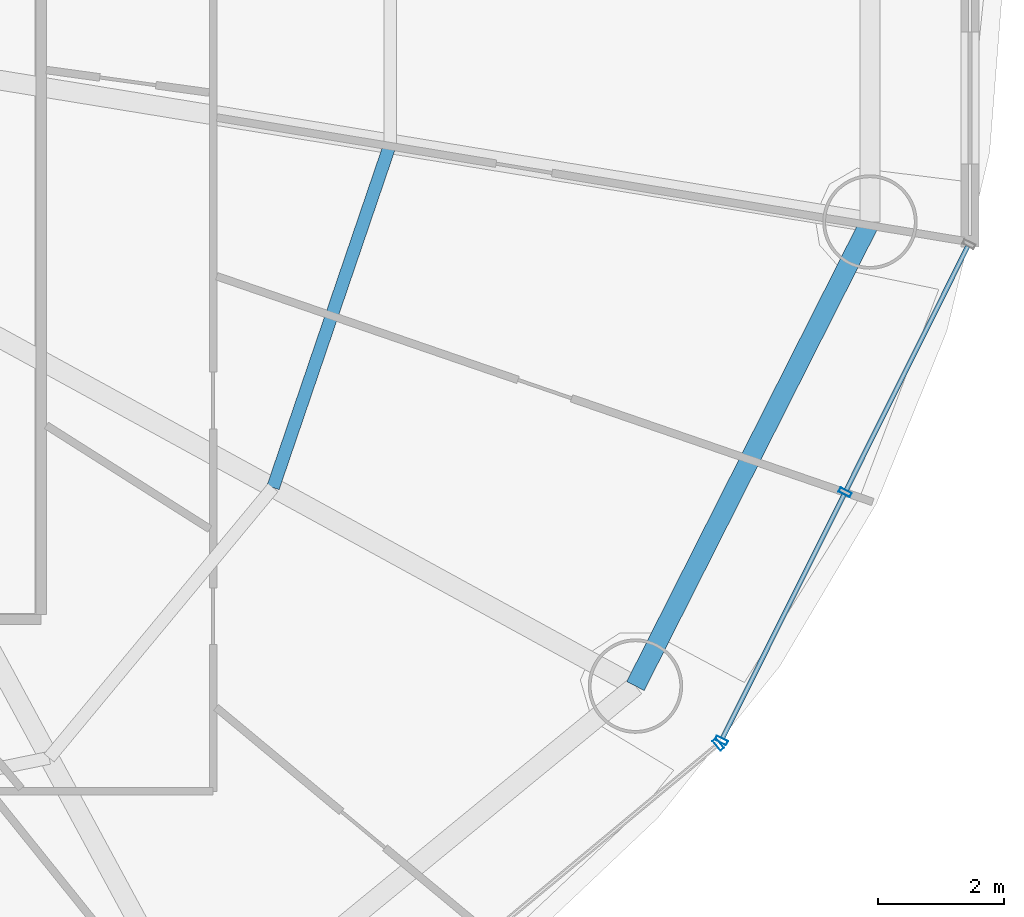
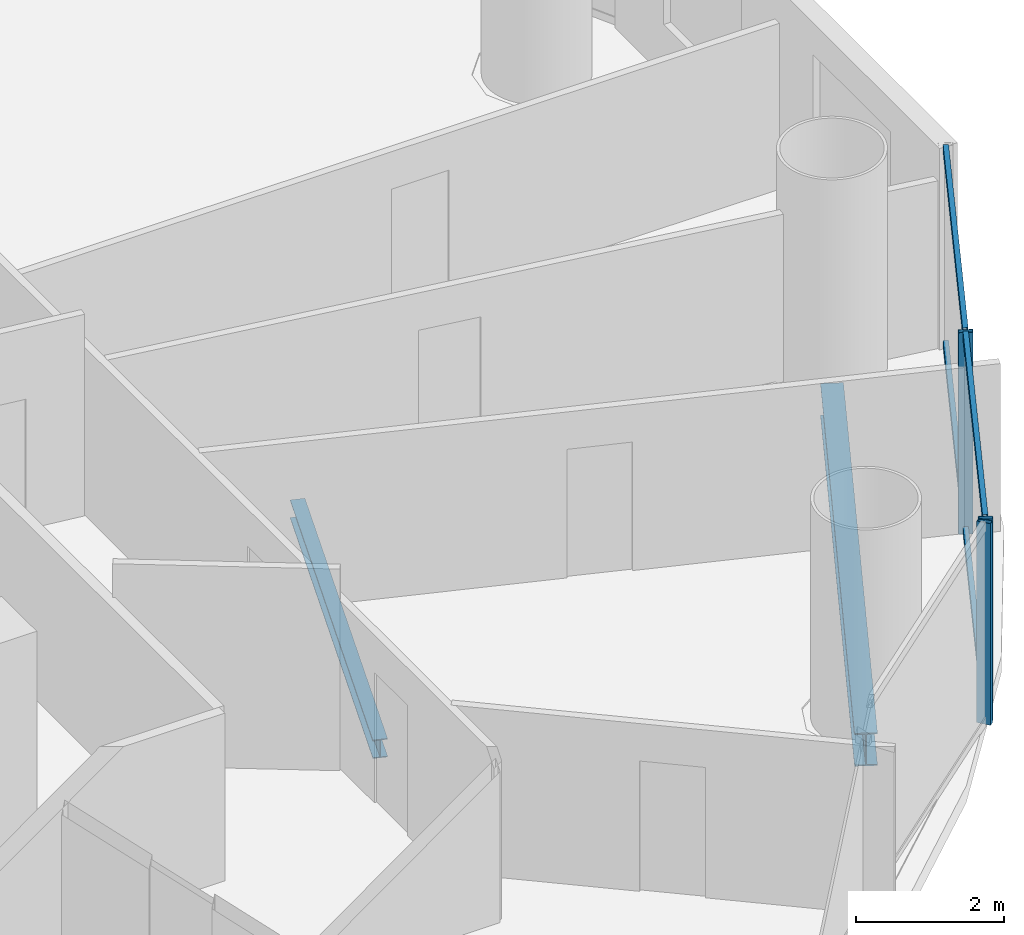
# One storey, part 13 of 29: 7 members, 2 beams, 2 elements without a shape of their own.
"""IFC4 building model written with IfcOpenShell, lengths in metres."""

from ifc_helpers import new_model, si_unit, direction, frame, origin, origin_2d, place, context, subcontext, project, spatial, hollow_rectangle, i_section, extrude, source, transform, mapped, material, material_profile, profile_set, type_object, element, aggregate, save


model = new_model("IFC4")

# Units and contexts
model_context = context("Model", 3, precision=1e-05, world=origin(), true_north=direction((-0.2419218956, 0.970295726276)))
body_context = subcontext(model_context, "Body", "Model", "MODEL_VIEW")
ifc_project = project(units=[si_unit("LENGTHUNIT", "METRE"), si_unit("AREAUNIT", "SQUARE_METRE"), si_unit("VOLUMEUNIT", "CUBIC_METRE"), si_unit("PLANEANGLEUNIT", "RADIAN"), si_unit("MASSUNIT", "GRAM", prefix="KILO")], contexts=[model_context])

# Site, building, storey
site_placement = place(None, origin())
site = spatial("IfcSite", under=ifc_project, at=site_placement, CompositionType="ELEMENT")
building_placement = place(site_placement, origin())
building = spatial("IfcBuilding", under=site, at=building_placement, Name="Cobrevalo Terracotta Tower", CompositionType="ELEMENT")
storey_placement = place(building_placement, frame((0.0, 0.0, 97.800048828125)))
storey = spatial("IfcBuildingStorey", under=building, at=storey_placement, Name="L25", CompositionType="ELEMENT", Elevation=97.800048828125)

# Beams
ifc_material_1 = material(Name="Steel S355", Category="steel")
ifc_material_profile_1 = material_profile(ifc_material_1, i_section(OverallWidth=0.2041015625, OverallDepth=0.305908203125, WebThickness=0.008544921875, FlangeThickness=0.0146484375, at=origin_2d()), Name="W 310x67")
ifc_profile_set_1 = profile_set([ifc_material_profile_1], Name="Steel S355")
beam_type_1 = type_object("IfcBeamType", Name="Structural Joist W 310x67 (Steel S355)", PredefinedType="JOIST", material=ifc_profile_set_1)
beam_1_placement = place(storey_placement, frame((52.987548828125, 18.591796875, -0.427978515625), z_axis=(0.322846227919, 0.946451431991, 0.0), x_axis=(-0.946451431991, 0.322846227919, 0.0)))
element("IfcBeam", 1, at=beam_1_placement, inside=storey, type_object=beam_type_1, Name="L25 circumferential secondary floor joist 15", PredefinedType="JOIST", context=body_context, shape_type="SweptSolid", body=[
    extrude(i_section(OverallWidth=0.2041015625, OverallDepth=0.305908203125, WebThickness=0.008544921875, FlangeThickness=0.0146484375, at=origin_2d()), origin(), (0.0, 0.0, 1.0), 5.77001953125),
])
ifc_material_profile_2 = material_profile(ifc_material_1, i_section(OverallWidth=0.31201171875, OverallDepth=0.54296875, WebThickness=0.0126953125, FlangeThickness=0.020263671875, at=origin_2d()), Name="W 530x150")
ifc_profile_set_2 = profile_set([ifc_material_profile_2], Name="Steel S355")
beam_type_2 = type_object("IfcBeamType", Name="Structural Spandrel W 530x150 (Steel S355)", PredefinedType="SPANDREL", material=ifc_profile_set_2)
beam_2_placement = place(storey_placement, frame((58.7451171875, 15.4384765625, -0.546630859375), z_axis=(0.451051982172, 0.892497680321, 0.0), x_axis=(-0.892497680321, 0.451051982172, 0.0)))
element("IfcBeam", 2, at=beam_2_placement, inside=storey, type_object=beam_type_2, Name="L25 perimeter ring spandrel 15", PredefinedType="SPANDREL", context=body_context, shape_type="SweptSolid", body=[
    extrude(i_section(OverallWidth=0.31201171875, OverallDepth=0.54296875, WebThickness=0.0126953125, FlangeThickness=0.020263671875, at=origin_2d()), origin(), (0.0, 0.0, 1.0), 8.259765625),
])

# Curtain wall, member
ifc_material_2 = material(Name="Anodized aluminium", Category="aluminium")
curtain_wall_type = type_object("IfcCurtainWallType", Name="Lower-tower unitised acoustic low-E curtain wall CW-U1", PredefinedType="NOTDEFINED", material=ifc_material_2)
curtain_wall_1_placement = place(storey_placement, origin())
curtain_wall_1 = element("IfcCurtainWall", 3, at=curtain_wall_1_placement, inside=storey, type_object=curtain_wall_type, Name="L25 curtain wall CW-L25-S14", PredefinedType="NOTDEFINED")
ifc_material_profile_3 = material_profile(ifc_material_2, hollow_rectangle(XDim=0.074951171875, YDim=0.199951171875, WallThickness=0.0048828125, at=origin_2d()), Name="CWM 75x200")
ifc_profile_set_3 = profile_set([ifc_material_profile_3], Name="Anodized aluminium")
member_type_1 = type_object("IfcMemberType", Name="Lower/mid tower unitised mullion 75x200", PredefinedType="MULLION", material=ifc_profile_set_3)
shared_shape_1 = source(origin(), body_context, "Body", "SweptSolid", [
    extrude(hollow_rectangle(XDim=0.074951171875, YDim=0.199951171875, WallThickness=0.0048828125, at=origin_2d()), origin(), (0.0, 0.0, 1.0), 3.324951171875),
])
member_1_placement = place(storey_placement, frame((60.061279296875, 14.512939453125, 0.0), z_axis=(0.0, 0.0, 1.0), x_axis=(0.769243451658, 0.638955798222, 0.0)))
member_1 = element("IfcMember", 4, at=member_1_placement, type_object=member_type_1, Name="CW-L25-S14 vertical mullion 03", PredefinedType="MULLION", context=body_context, shape_type="MappedRepresentation", body=[
    mapped(shared_shape_1, transform((0.0, 0.0, 0.0), scale=1.0)),
])
aggregate(curtain_wall_1, [member_1])

# Curtain wall, members
curtain_wall_2_placement = place(storey_placement, origin())
curtain_wall_2 = element("IfcCurtainWall", 5, at=curtain_wall_2_placement, inside=storey, type_object=curtain_wall_type, Name="L25 curtain wall CW-L25-S15", PredefinedType="NOTDEFINED")
member_2_placement = place(storey_placement, frame((60.110107421875, 14.574462890625, 0.0), z_axis=(0.0, 0.0, 1.0), x_axis=(0.446260290227, 0.894903208937, 0.0)))
member_2 = element("IfcMember", 6, at=member_2_placement, type_object=member_type_1, Name="CW-L25-S15 vertical mullion 01", PredefinedType="MULLION", context=body_context, shape_type="MappedRepresentation", body=[
    mapped(shared_shape_1, transform((0.0, 0.0, 0.0), scale=1.0)),
])
member_3_placement = place(storey_placement, frame((62.075927734375, 18.516357421875, 0.0), z_axis=(0.0, 0.0, 1.0), x_axis=(0.446260290227, 0.894903208937, 0.0)))
member_3 = element("IfcMember", 7, at=member_3_placement, type_object=member_type_1, Name="CW-L25-S15 vertical mullion 02", PredefinedType="MULLION", context=body_context, shape_type="MappedRepresentation", body=[
    mapped(shared_shape_1, transform((0.0, 0.0, 0.0), scale=1.0)),
])
ifc_material_profile_4 = material_profile(ifc_material_2, hollow_rectangle(XDim=0.074951171875, YDim=0.14990234375, WallThickness=0.00439453125, at=origin_2d()), Name="CWT 75x150")
ifc_profile_set_4 = profile_set([ifc_material_profile_4], Name="Anodized aluminium")
member_type_2 = type_object("IfcMemberType", Name="Tower unitised aluminium transom 75x150", PredefinedType="USERDEFINED", material=ifc_profile_set_4)
shared_shape_2 = source(origin(), body_context, "Body", "SweptSolid", [
    extrude(hollow_rectangle(XDim=0.074951171875, YDim=0.14990234375, WallThickness=0.00439453125, at=origin_2d()), origin(), (0.0, 0.0, 1.0), 4.324951171875),
])
member_4_placement = place(storey_placement, frame((60.1279296875, 14.610107421875, 0.050048828125), z_axis=(0.446219838389, 0.894923379864, 0.0), x_axis=(-0.894923379864, 0.446219838389, 0.0)))
member_4 = element("IfcMember", 8, at=member_4_placement, type_object=member_type_2, Name="CW-L25-S15 transom B01-T1", ObjectType="TRANSOM", PredefinedType="USERDEFINED", context=body_context, shape_type="MappedRepresentation", body=[
    mapped(shared_shape_2, transform((0.0, 0.0, 0.0), scale=1.0)),
])
member_5_placement = place(storey_placement, frame((60.1279296875, 14.610107421875, 3.27490234375), z_axis=(0.446219838389, 0.894923379864, 0.0), x_axis=(-0.894923379864, 0.446219838389, 0.0)))
member_5 = element("IfcMember", 9, at=member_5_placement, type_object=member_type_2, Name="CW-L25-S15 transom B01-T2", ObjectType="TRANSOM", PredefinedType="USERDEFINED", context=body_context, shape_type="MappedRepresentation", body=[
    mapped(shared_shape_2, transform((0.0, 0.0, 0.0), scale=1.0)),
])
member_6_placement = place(storey_placement, frame((62.09375, 18.55224609375, 0.050048828125), z_axis=(0.446219838389, 0.894923379864, 0.0), x_axis=(-0.894923379864, 0.446219838389, 0.0)))
member_6 = element("IfcMember", 10, at=member_6_placement, type_object=member_type_2, Name="CW-L25-S15 transom B02-T1", ObjectType="TRANSOM", PredefinedType="USERDEFINED", context=body_context, shape_type="MappedRepresentation", body=[
    mapped(shared_shape_2, transform((0.0, 0.0, 0.0), scale=1.0)),
])
member_7_placement = place(storey_placement, frame((62.09375, 18.55224609375, 3.27490234375), z_axis=(0.446219838389, 0.894923379864, 0.0), x_axis=(-0.894923379864, 0.446219838389, 0.0)))
member_7 = element("IfcMember", 11, at=member_7_placement, type_object=member_type_2, Name="CW-L25-S15 transom B02-T2", ObjectType="TRANSOM", PredefinedType="USERDEFINED", context=body_context, shape_type="MappedRepresentation", body=[
    mapped(shared_shape_2, transform((0.0, 0.0, 0.0), scale=1.0)),
])
aggregate(curtain_wall_2, [member_2, member_3, member_4, member_5, member_6, member_7])

save(model, "model.ifc")
